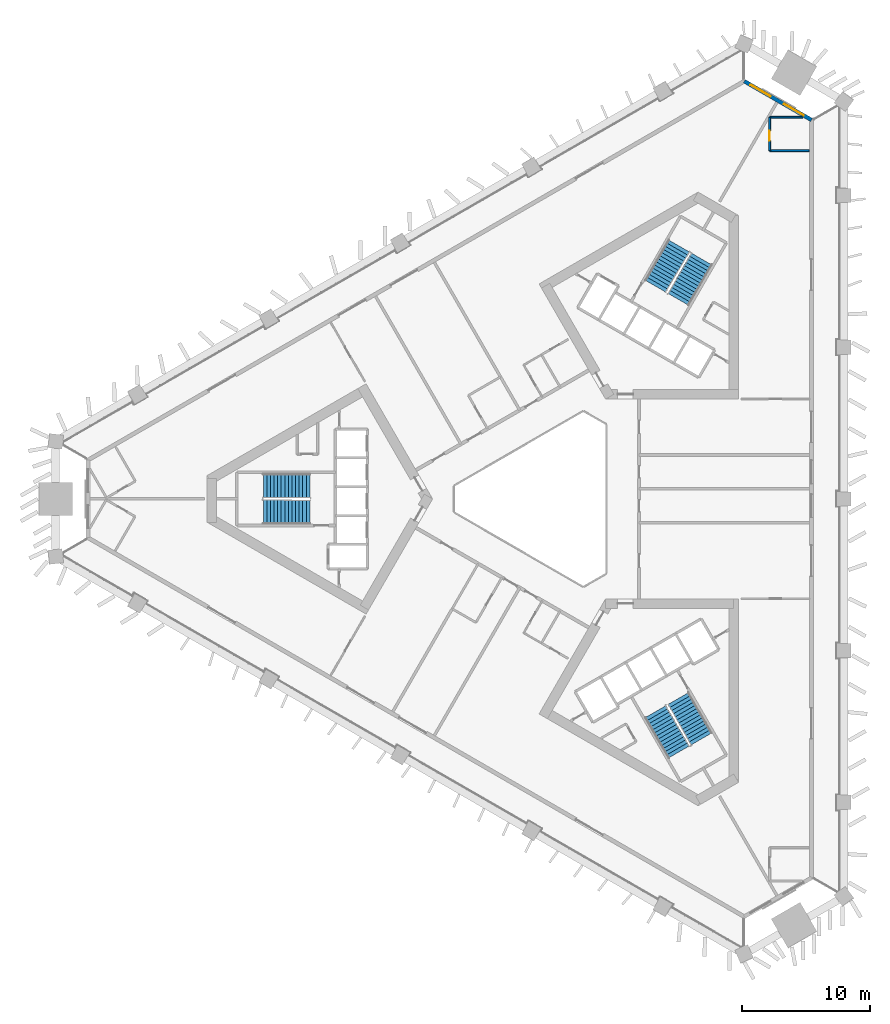
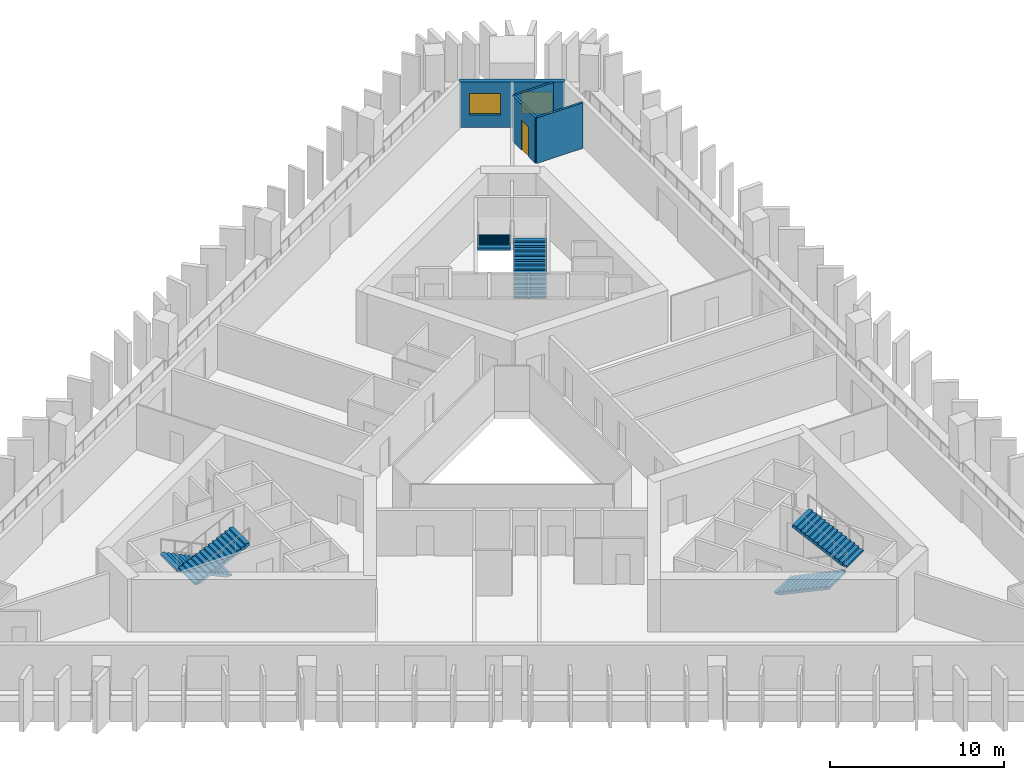
# One storey, part 7 of 11: 6 stair flights, 4 walls, 2 windows, 1 door, 3 openings, 3 elements without a shape of their own.
"""IFC4 building model written with IfcOpenShell, lengths in metres."""

from ifc_helpers import new_model, si_unit, direction, frame, frame_2d, origin, place, context, subcontext, project, spatial, polyline, rectangle, outline, extrude, material, layer, layer_set, type_object, element, fill, aggregate, save


model = new_model("IFC4")

# Units and contexts
model_context = context("Model", 3, precision=1e-05, world=origin(), true_north=direction((0.0, 1.0)))
body_context = subcontext(model_context, "Body", "Model", "MODEL_VIEW")
ifc_project = project(units=[si_unit("LENGTHUNIT", "METRE"), si_unit("AREAUNIT", "SQUARE_METRE"), si_unit("VOLUMEUNIT", "CUBIC_METRE"), si_unit("PLANEANGLEUNIT", "RADIAN"), si_unit("MASSUNIT", "GRAM", prefix="KILO")], contexts=[model_context])

# Site, building, storey
site_placement = place(None, origin())
site = spatial("IfcSite", under=ifc_project, at=site_placement, CompositionType="ELEMENT")
building_placement = place(site_placement, origin())
building = spatial("IfcBuilding", under=site, at=building_placement, Name="Jabali Bay Hotel Tower and Convention Centre", CompositionType="ELEMENT")
storey_placement = place(building_placement, frame((0.0, 0.0, 75.800048828125)))
storey = spatial("IfcBuildingStorey", under=building, at=storey_placement, Name="L17", CompositionType="ELEMENT", Elevation=75.800048828125)

# Wall, openings, windows
ifc_material_1 = material(Name="Concrete C40", Category="concrete")
ifc_layer_1 = layer(ifc_material_1, 0.300048828125)
ifc_layer_set_1 = layer_set([ifc_layer_1], Name="Concrete C40")
wall_type_1 = type_object("IfcWallType", Name="External wall 300", PredefinedType="SOLIDWALL", material=ifc_layer_set_1)
wall_1_placement = place(storey_placement, frame((90.33203125, 112.6103515625, 0.0), z_axis=(0.0, 0.0, 1.0), x_axis=(0.86603852932, -0.499977265216, 0.0)))
wall_1 = element("IfcWall", 1, at=wall_1_placement, inside=storey, type_object=wall_type_1, Name="External wall north-east chamfer L17", PredefinedType="SOLIDWALL", context=body_context, shape_type="SweptSolid", body=[
    extrude(rectangle(XDim=6.054443359375, YDim=0.300048828125, at=frame_2d((3.02734375, 0.0))), origin(), (0.0, 0.0, 1.0), 3.199951171875),
])
opening_1_placement = place(wall_1_placement, frame((3.560302734375, 0.0, 0.89990234375)))
opening_1 = element("IfcOpeningElement", 2, at=opening_1_placement, cuts=wall_1, Name="Opening W1", PredefinedType="OPENING", context=body_context, shape_type="SweptSolid", body=[
    extrude(rectangle(XDim=1.800048828125, YDim=1.5, at=frame_2d((0.89990234375, 0.75))), frame((0.0, 0.16064453125, 0.0), z_axis=(0.0, -1.0, 0.0), x_axis=(1.0, 0.0, 0.0)), (0.0, 0.0, 1.0), 0.321044921875),
])
opening_2_placement = place(wall_1_placement, frame((0.57080078125, 0.0, 0.89990234375)))
opening_2 = element("IfcOpeningElement", 3, at=opening_2_placement, cuts=wall_1, Name="Opening W1", PredefinedType="OPENING", context=body_context, shape_type="SweptSolid", body=[
    extrude(rectangle(XDim=1.800048828125, YDim=1.5, at=frame_2d((0.89990234375, 0.75))), frame((0.0, 0.16064453125, 0.0), z_axis=(0.0, -1.0, 0.0), x_axis=(1.0, 0.0, 0.0)), (0.0, 0.0, 1.0), 0.321044921875),
])
ifc_material_2 = material(Name="Glass", Category="glass")
window_type = type_object("IfcWindowType", Name="Window 1800 x 1500", PartitioningType="SINGLE_PANEL", PredefinedType="WINDOW", material=ifc_material_2)
window_1_placement = place(opening_1_placement, origin())
window_1 = element("IfcWindow", 4, at=window_1_placement, inside=storey, type_object=window_type, Name="Window 1704", OverallHeight=1.5, OverallWidth=1.800048828125, PartitioningType="SINGLE_PANEL", PredefinedType="WINDOW", context=body_context, shape_type="SweptSolid", body=[
    extrude(rectangle(XDim=1.800048828125, YDim=1.5, at=frame_2d((0.89990234375, 0.75))), frame((0.0, 0.030029296875, 0.0), z_axis=(0.0, -1.0, 0.0), x_axis=(1.0, 0.0, 0.0)), (0.0, 0.0, 1.0), 0.06005859375),
])
fill(opening_1, window_1)
window_2_placement = place(opening_2_placement, origin())
window_2 = element("IfcWindow", 5, at=window_2_placement, inside=storey, type_object=window_type, Name="Window 1705", OverallHeight=1.5, OverallWidth=1.800048828125, PartitioningType="SINGLE_PANEL", PredefinedType="WINDOW", context=body_context, shape_type="SweptSolid", body=[
    extrude(rectangle(XDim=1.800048828125, YDim=1.5, at=frame_2d((0.89990234375, 0.75))), frame((0.0, 0.030029296875, 0.0), z_axis=(0.0, -1.0, 0.0), x_axis=(1.0, 0.0, 0.0)), (0.0, 0.0, 1.0), 0.06005859375),
])
fill(opening_2, window_2)

# Wall
ifc_material_3 = material(Name="Plasterboard on steel stud", Category="steel")
ifc_layer_2 = layer(ifc_material_3, 0.14990234375)
ifc_layer_set_2 = layer_set([ifc_layer_2], Name="Plasterboard on steel stud")
wall_type_2 = type_object("IfcWallType", Name="Partition 150 wet", PredefinedType="PARTITIONING", material=ifc_layer_set_2)
wall_2_placement = place(storey_placement, frame((95.38525390625, 107.1943359375, 0.0), z_axis=(0.0, 0.0, 1.0), x_axis=(-1.0, 0.0, 0.0)))
element("IfcWall", 6, at=wall_2_placement, inside=storey, type_object=wall_type_2, Name="Partition P03 L17 010", PredefinedType="PARTITIONING", context=body_context, shape_type="SweptSolid", body=[
    extrude(rectangle(XDim=3.083740234375, YDim=0.14990234375, at=frame_2d((1.5419921875, 0.0))), origin(), (0.0, 0.0, 1.0), 3.199951171875),
])

# Wall, opening, door
wall_3_placement = place(storey_placement, frame((92.301513671875, 107.1943359375, 0.0), z_axis=(0.0, 0.0, 1.0), x_axis=(0.0, 1.0, 0.0)))
wall_3 = element("IfcWall", 7, at=wall_3_placement, inside=storey, type_object=wall_type_2, Name="Partition P03 L17 011", PredefinedType="PARTITIONING", context=body_context, shape_type="SweptSolid", body=[
    extrude(rectangle(XDim=2.599853515625, YDim=0.14990234375, at=frame_2d((1.2998046875, 0.0))), origin(), (0.0, 0.0, 1.0), 3.199951171875),
])
opening_3_placement = place(wall_3_placement, frame((0.75, 0.0, 0.0)))
opening_3 = element("IfcOpeningElement", 8, at=opening_3_placement, cuts=wall_3, Name="Opening 1708", PredefinedType="OPENING", context=body_context, shape_type="SweptSolid", body=[
    extrude(rectangle(XDim=0.800048828125, YDim=2.10009765625, at=frame_2d((0.39990234375, 1.050048828125))), frame((0.0, 0.08544921875, 0.0), z_axis=(0.0, -1.0, 0.0), x_axis=(1.0, 0.0, 0.0)), (0.0, 0.0, 1.0), 0.1708984375),
])
ifc_material_4 = material(Name="Timber", Category="wood")
door_type = type_object("IfcDoorType", Name="En-suite door 800 x 2100", OperationType="NOTDEFINED", PredefinedType="NOTDEFINED", material=ifc_material_4)
door_placement = place(opening_3_placement, origin())
door = element("IfcDoor", 9, at=door_placement, inside=storey, type_object=door_type, Name="Door 1708", OperationType="SINGLE_SWING_LEFT", OverallHeight=2.10009765625, OverallWidth=0.800048828125, PredefinedType="NOTDEFINED", context=body_context, shape_type="SweptSolid", body=[
    extrude(rectangle(XDim=0.800048828125, YDim=2.10009765625, at=frame_2d((0.39990234375, 1.050048828125))), frame((0.0, 0.02490234375, 0.0), z_axis=(0.0, -1.0, 0.0), x_axis=(1.0, 0.0, 0.0)), (0.0, 0.0, 1.0), 0.050048828125),
])
fill(opening_3, door)

# Wall
wall_4_placement = place(storey_placement, frame((92.301513671875, 109.794189453125, 0.0), z_axis=(0.0, 0.0, 1.0), x_axis=(1.0, 0.0, 0.0)))
element("IfcWall", 10, at=wall_4_placement, inside=storey, type_object=wall_type_2, Name="Partition P03 L17 012", PredefinedType="PARTITIONING", context=body_context, shape_type="SweptSolid", body=[
    extrude(rectangle(XDim=2.6103515625, YDim=0.14990234375, at=frame_2d((1.30517578125, 0.0))), origin(), (0.0, 0.0, 1.0), 3.199951171875),
])

# Stair, stair flights
stair_type = type_object("IfcStairType", Name="Exit stair 1900", PredefinedType="HALF_TURN_STAIR", material=ifc_material_1)
stair_1_placement = place(storey_placement, origin())
stair_1 = element("IfcStair", 11, at=stair_1_placement, inside=storey, type_object=stair_type, Name="L17 Exit Stair 1", PredefinedType="HALF_TURN_STAIR")
stair_flight_type = type_object("IfcStairFlightType", Name="Stair flight concrete 150", PredefinedType="STRAIGHT", material=ifc_material_1)
stair_flight_1_placement = place(storey_placement, frame((56.419921875, 81.02490234375, 0.0), z_axis=(0.0, 0.0, 1.0), x_axis=(-1.0, 0.0, 0.0)))
stair_flight_1 = element("IfcStairFlight", 12, at=stair_flight_1_placement, type_object=stair_flight_type, Name="ST1 flight 1", NumberOfRisers=14, NumberOfTreads=13, PredefinedType="STRAIGHT", RiserHeight=0.132142857, TreadLength=0.28, context=body_context, shape_type="SweptSolid", body=[
    extrude(outline(polyline([(0.0, 0.0), (0.0, 0.132080078125), (0.280029296875, 0.132080078125), (0.280029296875, 0.264404296875), (0.56005859375, 0.264404296875), (0.56005859375, 0.396484375), (0.840087890625, 0.396484375), (0.840087890625, 0.528564453125), (1.1201171875, 0.528564453125), (1.1201171875, 0.66064453125), (1.39990234375, 0.66064453125), (1.39990234375, 0.79296875), (1.679931640625, 0.79296875), (1.679931640625, 0.925048828125), (1.9599609375, 0.925048828125), (1.9599609375, 1.05712890625), (2.239990234375, 1.05712890625), (2.239990234375, 1.189208984375), (2.52001953125, 1.189208984375), (2.52001953125, 1.321533203125), (2.800048828125, 1.321533203125), (2.800048828125, 1.45361328125), (3.080078125, 1.45361328125), (3.080078125, 1.585693359375), (3.360107421875, 1.585693359375), (3.360107421875, 1.7177734375), (3.639892578125, 1.7177734375), (3.639892578125, 1.85009765625), (3.639892578125, 1.552001953125), (0.351318359375, 0.0), (0.0, 0.0)])), frame((0.0, 0.949951171875, 0.0), z_axis=(0.0, -1.0, 0.0), x_axis=(1.0, 0.0, 0.0)), (0.0, 0.0, 1.0), 1.89990234375),
])
stair_flight_2_placement = place(storey_placement, frame((52.780029296875, 78.97509765625, 1.849853515625), z_axis=(0.0, 0.0, 1.0), x_axis=(1.0, 0.0, 0.0)))
stair_flight_2 = element("IfcStairFlight", 13, at=stair_flight_2_placement, type_object=stair_flight_type, Name="ST1 flight 2", NumberOfRisers=14, NumberOfTreads=13, PredefinedType="STRAIGHT", RiserHeight=0.132142857, TreadLength=0.28, context=body_context, shape_type="SweptSolid", body=[
    extrude(outline(polyline([(0.0, 0.0), (0.0, 0.132080078125), (0.280029296875, 0.132080078125), (0.280029296875, 0.264404296875), (0.56005859375, 0.264404296875), (0.56005859375, 0.396484375), (0.840087890625, 0.396484375), (0.840087890625, 0.528564453125), (1.1201171875, 0.528564453125), (1.1201171875, 0.66064453125), (1.39990234375, 0.66064453125), (1.39990234375, 0.79296875), (1.679931640625, 0.79296875), (1.679931640625, 0.925048828125), (1.9599609375, 0.925048828125), (1.9599609375, 1.05712890625), (2.239990234375, 1.05712890625), (2.239990234375, 1.189208984375), (2.52001953125, 1.189208984375), (2.52001953125, 1.321533203125), (2.800048828125, 1.321533203125), (2.800048828125, 1.45361328125), (3.080078125, 1.45361328125), (3.080078125, 1.585693359375), (3.360107421875, 1.585693359375), (3.360107421875, 1.7177734375), (3.639892578125, 1.7177734375), (3.639892578125, 1.85009765625), (3.639892578125, 1.552001953125), (0.351318359375, 0.0), (0.0, 0.0)])), frame((0.0, 0.949951171875, 0.0), z_axis=(0.0, -1.0, 0.0), x_axis=(1.0, 0.0, 0.0)), (0.0, 0.0, 1.0), 1.89990234375),
])
aggregate(stair_1, [stair_flight_1, stair_flight_2])

stair_2_placement = place(storey_placement, origin())
stair_2 = element("IfcStair", 14, at=stair_2_placement, inside=storey, type_object=stair_type, Name="L17 Exit Stair 2", PredefinedType="HALF_TURN_STAIR")
stair_flight_3_placement = place(storey_placement, frame((85.177734375, 95.578369140625, 0.0), z_axis=(0.0, 0.0, 1.0), x_axis=(0.5, 0.866025403784, 0.0)))
stair_flight_3 = element("IfcStairFlight", 15, at=stair_flight_3_placement, type_object=stair_flight_type, Name="ST2 flight 1", NumberOfRisers=14, NumberOfTreads=13, PredefinedType="STRAIGHT", RiserHeight=0.132142857, TreadLength=0.28, context=body_context, shape_type="SweptSolid", body=[
    extrude(outline(polyline([(0.0, 0.0), (0.0, 0.132080078125), (0.280029296875, 0.132080078125), (0.280029296875, 0.264404296875), (0.56005859375, 0.264404296875), (0.56005859375, 0.396484375), (0.840087890625, 0.396484375), (0.840087890625, 0.528564453125), (1.1201171875, 0.528564453125), (1.1201171875, 0.66064453125), (1.39990234375, 0.66064453125), (1.39990234375, 0.79296875), (1.679931640625, 0.79296875), (1.679931640625, 0.925048828125), (1.9599609375, 0.925048828125), (1.9599609375, 1.05712890625), (2.239990234375, 1.05712890625), (2.239990234375, 1.189208984375), (2.52001953125, 1.189208984375), (2.52001953125, 1.321533203125), (2.800048828125, 1.321533203125), (2.800048828125, 1.45361328125), (3.080078125, 1.45361328125), (3.080078125, 1.585693359375), (3.360107421875, 1.585693359375), (3.360107421875, 1.7177734375), (3.639892578125, 1.7177734375), (3.639892578125, 1.85009765625), (3.639892578125, 1.552001953125), (0.351318359375, 0.0), (0.0, 0.0)])), frame((0.0, 0.949951171875, 0.0), z_axis=(0.0, -1.0, 0.0), x_axis=(1.0, 0.0, 0.0)), (0.0, 0.0, 1.0), 1.89990234375),
])
stair_flight_4_placement = place(storey_placement, frame((85.222412109375, 99.755615234375, 1.849853515625), z_axis=(0.0, 0.0, 1.0), x_axis=(-0.5, -0.866025403784, 0.0)))
stair_flight_4 = element("IfcStairFlight", 16, at=stair_flight_4_placement, type_object=stair_flight_type, Name="ST2 flight 2", NumberOfRisers=14, NumberOfTreads=13, PredefinedType="STRAIGHT", RiserHeight=0.132142857, TreadLength=0.28, context=body_context, shape_type="SweptSolid", body=[
    extrude(outline(polyline([(0.0, 0.0), (0.0, 0.132080078125), (0.280029296875, 0.132080078125), (0.280029296875, 0.264404296875), (0.56005859375, 0.264404296875), (0.56005859375, 0.396484375), (0.840087890625, 0.396484375), (0.840087890625, 0.528564453125), (1.1201171875, 0.528564453125), (1.1201171875, 0.66064453125), (1.39990234375, 0.66064453125), (1.39990234375, 0.79296875), (1.679931640625, 0.79296875), (1.679931640625, 0.925048828125), (1.9599609375, 0.925048828125), (1.9599609375, 1.05712890625), (2.239990234375, 1.05712890625), (2.239990234375, 1.189208984375), (2.52001953125, 1.189208984375), (2.52001953125, 1.321533203125), (2.800048828125, 1.321533203125), (2.800048828125, 1.45361328125), (3.080078125, 1.45361328125), (3.080078125, 1.585693359375), (3.360107421875, 1.585693359375), (3.360107421875, 1.7177734375), (3.639892578125, 1.7177734375), (3.639892578125, 1.85009765625), (3.639892578125, 1.552001953125), (0.351318359375, 0.0), (0.0, 0.0)])), frame((0.0, 0.949951171875, 0.0), z_axis=(0.0, -1.0, 0.0), x_axis=(1.0, 0.0, 0.0)), (0.0, 0.0, 1.0), 1.89990234375),
])
aggregate(stair_2, [stair_flight_3, stair_flight_4])

stair_3_placement = place(storey_placement, origin())
stair_3 = element("IfcStair", 17, at=stair_3_placement, inside=storey, type_object=stair_type, Name="L17 Exit Stair 3", PredefinedType="HALF_TURN_STAIR")
stair_flight_5_placement = place(storey_placement, frame((83.40234375, 63.396728515625, 0.0), z_axis=(0.0, 0.0, 1.0), x_axis=(0.5, -0.866025403784, 0.0)))
stair_flight_5 = element("IfcStairFlight", 18, at=stair_flight_5_placement, type_object=stair_flight_type, Name="ST3 flight 1", NumberOfRisers=14, NumberOfTreads=13, PredefinedType="STRAIGHT", RiserHeight=0.132142857, TreadLength=0.28, context=body_context, shape_type="SweptSolid", body=[
    extrude(outline(polyline([(0.0, 0.0), (0.0, 0.132080078125), (0.280029296875, 0.132080078125), (0.280029296875, 0.264404296875), (0.56005859375, 0.264404296875), (0.56005859375, 0.396484375), (0.840087890625, 0.396484375), (0.840087890625, 0.528564453125), (1.1201171875, 0.528564453125), (1.1201171875, 0.66064453125), (1.39990234375, 0.66064453125), (1.39990234375, 0.79296875), (1.679931640625, 0.79296875), (1.679931640625, 0.925048828125), (1.9599609375, 0.925048828125), (1.9599609375, 1.05712890625), (2.239990234375, 1.05712890625), (2.239990234375, 1.189208984375), (2.52001953125, 1.189208984375), (2.52001953125, 1.321533203125), (2.800048828125, 1.321533203125), (2.800048828125, 1.45361328125), (3.080078125, 1.45361328125), (3.080078125, 1.585693359375), (3.360107421875, 1.585693359375), (3.360107421875, 1.7177734375), (3.639892578125, 1.7177734375), (3.639892578125, 1.85009765625), (3.639892578125, 1.552001953125), (0.351318359375, 0.0), (0.0, 0.0)])), frame((0.0, 0.949951171875, 0.0), z_axis=(0.0, -1.0, 0.0), x_axis=(1.0, 0.0, 0.0)), (0.0, 0.0, 1.0), 1.89990234375),
])
stair_flight_6_placement = place(storey_placement, frame((86.99755859375, 61.26953125, 1.849853515625), z_axis=(0.0, 0.0, 1.0), x_axis=(-0.5, 0.866025403784, 0.0)))
stair_flight_6 = element("IfcStairFlight", 19, at=stair_flight_6_placement, type_object=stair_flight_type, Name="ST3 flight 2", NumberOfRisers=14, NumberOfTreads=13, PredefinedType="STRAIGHT", RiserHeight=0.132142857, TreadLength=0.28, context=body_context, shape_type="SweptSolid", body=[
    extrude(outline(polyline([(0.0, 0.0), (0.0, 0.132080078125), (0.280029296875, 0.132080078125), (0.280029296875, 0.264404296875), (0.56005859375, 0.264404296875), (0.56005859375, 0.396484375), (0.840087890625, 0.396484375), (0.840087890625, 0.528564453125), (1.1201171875, 0.528564453125), (1.1201171875, 0.66064453125), (1.39990234375, 0.66064453125), (1.39990234375, 0.79296875), (1.679931640625, 0.79296875), (1.679931640625, 0.925048828125), (1.9599609375, 0.925048828125), (1.9599609375, 1.05712890625), (2.239990234375, 1.05712890625), (2.239990234375, 1.189208984375), (2.52001953125, 1.189208984375), (2.52001953125, 1.321533203125), (2.800048828125, 1.321533203125), (2.800048828125, 1.45361328125), (3.080078125, 1.45361328125), (3.080078125, 1.585693359375), (3.360107421875, 1.585693359375), (3.360107421875, 1.7177734375), (3.639892578125, 1.7177734375), (3.639892578125, 1.85009765625), (3.639892578125, 1.552001953125), (0.351318359375, 0.0), (0.0, 0.0)])), frame((0.0, 0.949951171875, 0.0), z_axis=(0.0, -1.0, 0.0), x_axis=(1.0, 0.0, 0.0)), (0.0, 0.0, 1.0), 1.89990234375),
])
aggregate(stair_3, [stair_flight_5, stair_flight_6])

save(model, "model.ifc")
